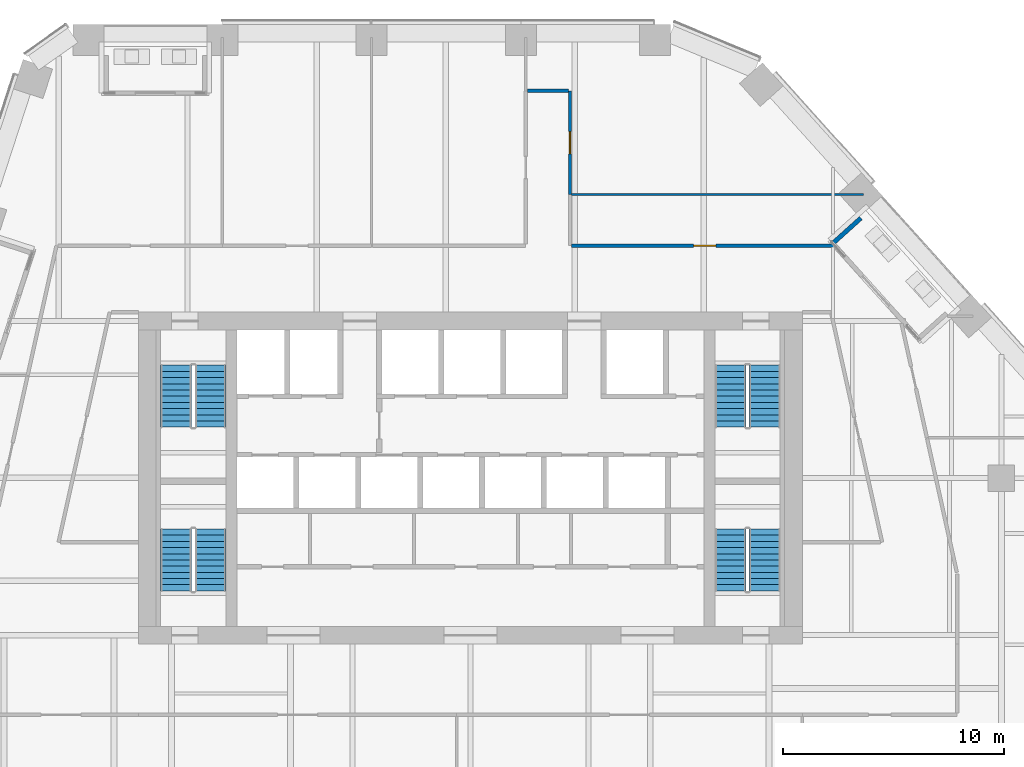
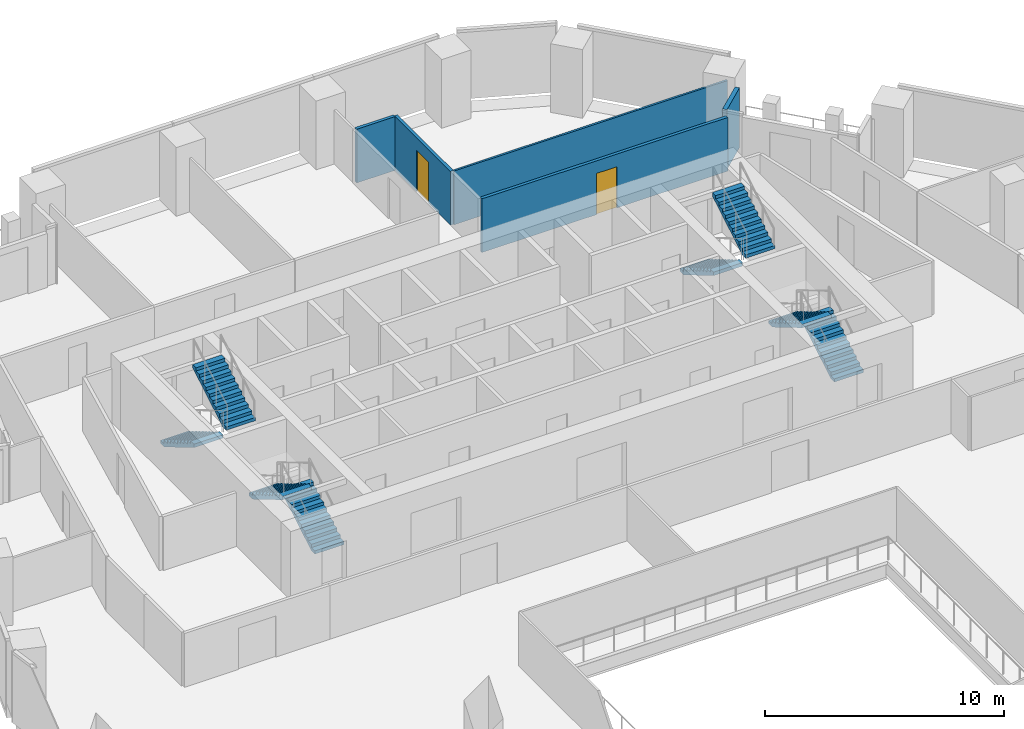
# One storey, part 22 of 26: 8 stair flights, 5 walls, 2 doors, 2 openings, 4 elements without a shape of their own.
"""IFC4 building model written with IfcOpenShell, lengths in metres."""

from ifc_helpers import new_model, si_unit, direction, frame, frame_2d, origin, place, context, subcontext, project, spatial, polyline, rectangle, outline, extrude, material, layer, layer_set, type_object, element, fill, aggregate, save


model = new_model("IFC4")

# Units and contexts
model_context = context("Model", 3, precision=1e-05, world=origin(), true_north=direction((0.0, 1.0)))
body_context = subcontext(model_context, "Body", "Model", "MODEL_VIEW")
ifc_project = project(units=[si_unit("LENGTHUNIT", "METRE"), si_unit("AREAUNIT", "SQUARE_METRE"), si_unit("VOLUMEUNIT", "CUBIC_METRE"), si_unit("PLANEANGLEUNIT", "RADIAN"), si_unit("MASSUNIT", "GRAM", prefix="KILO")], contexts=[model_context])

# Site, building, storey
site_placement = place(None, origin())
site = spatial("IfcSite", under=ifc_project, at=site_placement, CompositionType="ELEMENT")
building_placement = place(site_placement, origin())
building = spatial("IfcBuilding", under=site, at=building_placement, Name="Isthmus Gate Tower", CompositionType="ELEMENT")
storey_placement = place(building_placement, frame((0.0, 0.0, 144.39990234375)))
storey = spatial("IfcBuildingStorey", under=building, at=storey_placement, Name="L35", CompositionType="ELEMENT", Elevation=144.39990234375)

# Wall, opening, door
ifc_material_1 = material(Name="Gypsum board on steel studs, fire-rated", Category="steel")
ifc_layer_1 = layer(ifc_material_1, 0.14990234375)
ifc_layer_set_1 = layer_set([ifc_layer_1], Name="CORRIDOR WALL 150 60 MIN")
wall_type_1 = type_object("IfcWallType", Name="CORRIDOR WALL 150 60 MIN", PredefinedType="PARTITIONING", material=ifc_layer_set_1)
wall_1_placement = place(storey_placement, frame((4.5, 25.0, 0.0), z_axis=(0.0, 0.0, 1.0), x_axis=(0.0, -1.0, 0.0)))
wall_1 = element("IfcWall", 1, at=wall_1_placement, inside=storey, type_object=wall_type_1, Name="L35 Corridor Wall 150 60 Min", PredefinedType="PARTITIONING", context=body_context, shape_type="SweptSolid", body=[
    extrude(rectangle(XDim=4.69189453125, YDim=0.14990234375, at=frame_2d((2.345947265625, 0.0))), origin(), (0.0, 0.0, 1.0), 2.7412109375),
])
opening_1_placement = place(wall_1_placement, frame((1.845947265625, 0.0, 0.0)))
opening_1 = element("IfcOpeningElement", 2, at=opening_1_placement, cuts=wall_1, Name="Opening DT-T3B-03", PredefinedType="OPENING", context=body_context, shape_type="SweptSolid", body=[
    extrude(rectangle(XDim=1.0, YDim=2.10009765625, at=frame_2d((0.5, 1.050048828125))), frame((0.0, 0.0849609375, 0.0), z_axis=(0.0, -1.0, 0.0), x_axis=(1.0, 0.0, 0.0)), (0.0, 0.0, 1.0), 0.169921875),
])
ifc_material_2 = material(Name="Solid core timber door leaf, fire-rated", Category="wood")
door_type = type_object("IfcDoorType", Name="FIRE DOOR ROOM 1000 X 2100 60 MIN", OperationType="SINGLE_SWING_LEFT", PredefinedType="DOOR", material=ifc_material_2)
door_1_placement = place(opening_1_placement, origin())
door_1 = element("IfcDoor", 3, at=door_1_placement, inside=storey, type_object=door_type, Name="L35 room door", OperationType="SINGLE_SWING_RIGHT", OverallHeight=2.10009765625, OverallWidth=1.0, PredefinedType="DOOR", context=body_context, shape_type="SweptSolid", body=[
    extrude(rectangle(XDim=1.0, YDim=2.10009765625, at=frame_2d((0.5, 1.050048828125))), frame((0.0, 0.02490234375, 0.0), z_axis=(0.0, -1.0, 0.0), x_axis=(1.0, 0.0, 0.0)), (0.0, 0.0, 1.0), 0.050048828125),
])
fill(opening_1, door_1)

# Wall
wall_2_placement = place(storey_placement, frame((2.574951171875, 25.0, 0.0), z_axis=(0.0, 0.0, 1.0), x_axis=(1.0, 0.0, 0.0)))
element("IfcWall", 4, at=wall_2_placement, inside=storey, type_object=wall_type_1, Name="L35 Corridor Wall 150 60 Min", PredefinedType="PARTITIONING", context=body_context, shape_type="SweptSolid", body=[
    extrude(rectangle(XDim=1.85009765625, YDim=0.14990234375, at=frame_2d((0.925048828125, 0.0))), origin(), (0.0, 0.0, 1.0), 2.7412109375),
])

# Wall, opening, door
wall_3_placement = place(storey_placement, frame((4.574951171875, 18.0, 0.0), z_axis=(0.0, 0.0, 1.0), x_axis=(1.0, 0.0, 0.0)))
wall_3 = element("IfcWall", 5, at=wall_3_placement, inside=storey, type_object=wall_type_1, Name="L35 Corridor Wall 150 60 Min", PredefinedType="PARTITIONING", context=body_context, shape_type="SweptSolid", body=[
    extrude(rectangle(XDim=11.84912109375, YDim=0.14990234375, at=frame_2d((5.924560546875, 0.0))), origin(), (0.0, 0.0, 1.0), 2.7412109375),
])
opening_2_placement = place(wall_3_placement, frame((5.517578125, 0.0, 0.0)))
opening_2 = element("IfcOpeningElement", 6, at=opening_2_placement, cuts=wall_3, Name="Opening DT-T3B-05", PredefinedType="OPENING", context=body_context, shape_type="SweptSolid", body=[
    extrude(rectangle(XDim=1.0, YDim=2.10009765625, at=frame_2d((0.5, 1.050048828125))), frame((0.0, 0.0849609375, 0.0), z_axis=(0.0, -1.0, 0.0), x_axis=(1.0, 0.0, 0.0)), (0.0, 0.0, 1.0), 0.169921875),
])
door_2_placement = place(opening_2_placement, origin())
door_2 = element("IfcDoor", 7, at=door_2_placement, inside=storey, type_object=door_type, Name="L35 room door", OperationType="SINGLE_SWING_RIGHT", OverallHeight=2.10009765625, OverallWidth=1.0, PredefinedType="DOOR", context=body_context, shape_type="SweptSolid", body=[
    extrude(rectangle(XDim=1.0, YDim=2.10009765625, at=frame_2d((0.5, 1.050048828125))), frame((0.0, 0.02490234375, 0.0), z_axis=(0.0, -1.0, 0.0), x_axis=(1.0, 0.0, 0.0)), (0.0, 0.0, 1.0), 0.050048828125),
])
fill(opening_2, door_2)

# Walls
ifc_material_3 = material(Name="Precast concrete C40/50", Category="concrete")
ifc_layer_2 = layer(ifc_material_3, 0.199951171875)
ifc_layer_set_2 = layer_set([ifc_layer_2], Name="LOGGIA WALL 200")
wall_type_2 = type_object("IfcWallType", Name="LOGGIA WALL 200", PredefinedType="SOLIDWALL", material=ifc_layer_set_2)
wall_4_placement = place(storey_placement, frame((17.64208984375, 19.2451171875, 0.0), z_axis=(0.0, 0.0, 1.0), x_axis=(-0.743106699699, -0.6691729469, 0.0)))
element("IfcWall", 8, at=wall_4_placement, inside=storey, type_object=wall_type_2, Name="LOGGIA SIDE WALL", PredefinedType="SOLIDWALL", context=body_context, shape_type="SweptSolid", body=[
    extrude(rectangle(XDim=1.68408203125, YDim=0.199951171875, at=frame_2d((0.842041015625, 0.0))), origin(), (0.0, 0.0, 1.0), 3.050048828125),
])
ifc_material_4 = material(Name="Gypsum board on steel studs, fire-rated", Category="steel")
ifc_layer_3 = layer(ifc_material_4, 0.10009765625)
ifc_layer_set_3 = layer_set([ifc_layer_3], Name="ROOM PARTITION 100 30 MIN")
wall_type_3 = type_object("IfcWallType", Name="ROOM PARTITION 100 30 MIN", PredefinedType="PARTITIONING", material=ifc_layer_set_3)
wall_5_placement = place(storey_placement, frame((4.574951171875, 20.30810546875, 0.0), z_axis=(0.0, 0.0, 1.0), x_axis=(1.0, 0.0, 0.0)))
element("IfcWall", 9, at=wall_5_placement, inside=storey, type_object=wall_type_3, Name="L35 Room Partition 100 30 Min", PredefinedType="PARTITIONING", context=body_context, shape_type="SweptSolid", body=[
    extrude(rectangle(XDim=13.18701171875, YDim=0.10009765625, at=frame_2d((6.593505859375, 0.0))), origin(), (0.0, 0.0, 1.0), 2.7412109375),
])

# Stair, stair flights
ifc_material_5 = material(Name="Concrete f'c 40 MPa", Category="concrete")
stair_type = type_object("IfcStairType", Name="CORE STAIR 22 RISERS", PredefinedType="HALF_TURN_STAIR", material=ifc_material_5)
stair_1_placement = place(storey_placement, origin())
stair_1 = element("IfcStair", 10, at=stair_1_placement, inside=storey, type_object=stair_type, Name="L35 Exit Stair 1", PredefinedType="HALF_TURN_STAIR")
ifc_material_6 = material(Name="Concrete f'c 40 MPa", Category="concrete")
stair_flight_type = type_object("IfcStairFlightType", Name="STAIR FLIGHT RC 1400", PredefinedType="STRAIGHT", material=ifc_material_6)
stair_flight_1_placement = place(storey_placement, frame((-13.300048828125, 12.60009765625, 0.0), z_axis=(0.0, 0.0, 1.0), x_axis=(0.0, -1.0, 0.0)))
stair_flight_1 = element("IfcStairFlight", 11, at=stair_flight_1_placement, type_object=stair_flight_type, Name="ST1 flight 1", NumberOfRisers=11, NumberOfTreads=10, PredefinedType="STRAIGHT", RiserHeight=0.165909091, TreadLength=0.28, context=body_context, shape_type="SweptSolid", body=[
    extrude(outline(polyline([(0.0, 0.0), (0.0, 0.166015625), (0.280029296875, 0.166015625), (0.280029296875, 0.331787109375), (0.56005859375, 0.331787109375), (0.56005859375, 0.497802734375), (0.840087890625, 0.497802734375), (0.840087890625, 0.66357421875), (1.1201171875, 0.66357421875), (1.1201171875, 0.82958984375), (1.39990234375, 0.82958984375), (1.39990234375, 0.995361328125), (1.679931640625, 0.995361328125), (1.679931640625, 1.161376953125), (1.9599609375, 1.161376953125), (1.9599609375, 1.327392578125), (2.239990234375, 1.327392578125), (2.239990234375, 1.4931640625), (2.52001953125, 1.4931640625), (2.52001953125, 1.6591796875), (2.800048828125, 1.6591796875), (2.800048828125, 1.824951171875), (2.800048828125, 1.48486328125), (0.2939453125, 0.0), (0.0, 0.0)])), frame((0.0, 0.699951171875, 0.0), z_axis=(0.0, -1.0, 0.0), x_axis=(1.0, 0.0, 0.0)), (0.0, 0.0, 1.0), 1.39990234375),
])
stair_flight_2_placement = place(storey_placement, frame((-11.75, 9.800048828125, 1.8251953125), z_axis=(0.0, 0.0, 1.0), x_axis=(0.0, 1.0, 0.0)))
stair_flight_2 = element("IfcStairFlight", 12, at=stair_flight_2_placement, type_object=stair_flight_type, Name="ST1 flight 2", NumberOfRisers=11, NumberOfTreads=10, PredefinedType="STRAIGHT", RiserHeight=0.165909091, TreadLength=0.28, context=body_context, shape_type="SweptSolid", body=[
    extrude(outline(polyline([(0.0, 0.0), (0.0, 0.166015625), (0.280029296875, 0.166015625), (0.280029296875, 0.331787109375), (0.56005859375, 0.331787109375), (0.56005859375, 0.497802734375), (0.840087890625, 0.497802734375), (0.840087890625, 0.66357421875), (1.1201171875, 0.66357421875), (1.1201171875, 0.82958984375), (1.39990234375, 0.82958984375), (1.39990234375, 0.995361328125), (1.679931640625, 0.995361328125), (1.679931640625, 1.161376953125), (1.9599609375, 1.161376953125), (1.9599609375, 1.327392578125), (2.239990234375, 1.327392578125), (2.239990234375, 1.4931640625), (2.52001953125, 1.4931640625), (2.52001953125, 1.6591796875), (2.800048828125, 1.6591796875), (2.800048828125, 1.824951171875), (2.800048828125, 1.48486328125), (0.2939453125, 0.0), (0.0, 0.0)])), frame((0.0, 0.699951171875, 0.0), z_axis=(0.0, -1.0, 0.0), x_axis=(1.0, 0.0, 0.0)), (0.0, 0.0, 1.0), 1.39990234375),
])
aggregate(stair_1, [stair_flight_1, stair_flight_2])

stair_2_placement = place(storey_placement, origin())
stair_2 = element("IfcStair", 13, at=stair_2_placement, inside=storey, type_object=stair_type, Name="L35 Exit Stair 2", PredefinedType="HALF_TURN_STAIR")
stair_flight_3_placement = place(storey_placement, frame((11.75, 12.60009765625, 0.0), z_axis=(0.0, 0.0, 1.0), x_axis=(0.0, -1.0, 0.0)))
stair_flight_3 = element("IfcStairFlight", 14, at=stair_flight_3_placement, type_object=stair_flight_type, Name="ST2 flight 1", NumberOfRisers=11, NumberOfTreads=10, PredefinedType="STRAIGHT", RiserHeight=0.165909091, TreadLength=0.28, context=body_context, shape_type="SweptSolid", body=[
    extrude(outline(polyline([(0.0, 0.0), (0.0, 0.166015625), (0.280029296875, 0.166015625), (0.280029296875, 0.331787109375), (0.56005859375, 0.331787109375), (0.56005859375, 0.497802734375), (0.840087890625, 0.497802734375), (0.840087890625, 0.66357421875), (1.1201171875, 0.66357421875), (1.1201171875, 0.82958984375), (1.39990234375, 0.82958984375), (1.39990234375, 0.995361328125), (1.679931640625, 0.995361328125), (1.679931640625, 1.161376953125), (1.9599609375, 1.161376953125), (1.9599609375, 1.327392578125), (2.239990234375, 1.327392578125), (2.239990234375, 1.4931640625), (2.52001953125, 1.4931640625), (2.52001953125, 1.6591796875), (2.800048828125, 1.6591796875), (2.800048828125, 1.824951171875), (2.800048828125, 1.48486328125), (0.2939453125, 0.0), (0.0, 0.0)])), frame((0.0, 0.699951171875, 0.0), z_axis=(0.0, -1.0, 0.0), x_axis=(1.0, 0.0, 0.0)), (0.0, 0.0, 1.0), 1.39990234375),
])
stair_flight_4_placement = place(storey_placement, frame((13.300048828125, 9.800048828125, 1.8251953125), z_axis=(0.0, 0.0, 1.0), x_axis=(0.0, 1.0, 0.0)))
stair_flight_4 = element("IfcStairFlight", 15, at=stair_flight_4_placement, type_object=stair_flight_type, Name="ST2 flight 2", NumberOfRisers=11, NumberOfTreads=10, PredefinedType="STRAIGHT", RiserHeight=0.165909091, TreadLength=0.28, context=body_context, shape_type="SweptSolid", body=[
    extrude(outline(polyline([(0.0, 0.0), (0.0, 0.166015625), (0.280029296875, 0.166015625), (0.280029296875, 0.331787109375), (0.56005859375, 0.331787109375), (0.56005859375, 0.497802734375), (0.840087890625, 0.497802734375), (0.840087890625, 0.66357421875), (1.1201171875, 0.66357421875), (1.1201171875, 0.82958984375), (1.39990234375, 0.82958984375), (1.39990234375, 0.995361328125), (1.679931640625, 0.995361328125), (1.679931640625, 1.161376953125), (1.9599609375, 1.161376953125), (1.9599609375, 1.327392578125), (2.239990234375, 1.327392578125), (2.239990234375, 1.4931640625), (2.52001953125, 1.4931640625), (2.52001953125, 1.6591796875), (2.800048828125, 1.6591796875), (2.800048828125, 1.824951171875), (2.800048828125, 1.48486328125), (0.2939453125, 0.0), (0.0, 0.0)])), frame((0.0, 0.699951171875, 0.0), z_axis=(0.0, -1.0, 0.0), x_axis=(1.0, 0.0, 0.0)), (0.0, 0.0, 1.0), 1.39990234375),
])
aggregate(stair_2, [stair_flight_3, stair_flight_4])

stair_3_placement = place(storey_placement, origin())
stair_3 = element("IfcStair", 16, at=stair_3_placement, inside=storey, type_object=stair_type, Name="L35 Exit Stair 7", PredefinedType="HALF_TURN_STAIR")
stair_flight_5_placement = place(storey_placement, frame((-11.75, 2.39990234375, 0.0), z_axis=(0.0, 0.0, 1.0), x_axis=(0.0, 1.0, 0.0)))
stair_flight_5 = element("IfcStairFlight", 17, at=stair_flight_5_placement, type_object=stair_flight_type, Name="ST7 flight 1", NumberOfRisers=11, NumberOfTreads=10, PredefinedType="STRAIGHT", RiserHeight=0.165909091, TreadLength=0.28, context=body_context, shape_type="SweptSolid", body=[
    extrude(outline(polyline([(0.0, 0.0), (0.0, 0.166015625), (0.280029296875, 0.166015625), (0.280029296875, 0.331787109375), (0.56005859375, 0.331787109375), (0.56005859375, 0.497802734375), (0.840087890625, 0.497802734375), (0.840087890625, 0.66357421875), (1.1201171875, 0.66357421875), (1.1201171875, 0.82958984375), (1.39990234375, 0.82958984375), (1.39990234375, 0.995361328125), (1.679931640625, 0.995361328125), (1.679931640625, 1.161376953125), (1.9599609375, 1.161376953125), (1.9599609375, 1.327392578125), (2.239990234375, 1.327392578125), (2.239990234375, 1.4931640625), (2.52001953125, 1.4931640625), (2.52001953125, 1.6591796875), (2.800048828125, 1.6591796875), (2.800048828125, 1.824951171875), (2.800048828125, 1.48486328125), (0.2939453125, 0.0), (0.0, 0.0)])), frame((0.0, 0.699951171875, 0.0), z_axis=(0.0, -1.0, 0.0), x_axis=(1.0, 0.0, 0.0)), (0.0, 0.0, 1.0), 1.39990234375),
])
stair_flight_6_placement = place(storey_placement, frame((-13.300048828125, 5.199951171875, 1.8251953125), z_axis=(0.0, 0.0, 1.0), x_axis=(0.0, -1.0, 0.0)))
stair_flight_6 = element("IfcStairFlight", 18, at=stair_flight_6_placement, type_object=stair_flight_type, Name="ST7 flight 2", NumberOfRisers=11, NumberOfTreads=10, PredefinedType="STRAIGHT", RiserHeight=0.165909091, TreadLength=0.28, context=body_context, shape_type="SweptSolid", body=[
    extrude(outline(polyline([(0.0, 0.0), (0.0, 0.166015625), (0.280029296875, 0.166015625), (0.280029296875, 0.331787109375), (0.56005859375, 0.331787109375), (0.56005859375, 0.497802734375), (0.840087890625, 0.497802734375), (0.840087890625, 0.66357421875), (1.1201171875, 0.66357421875), (1.1201171875, 0.82958984375), (1.39990234375, 0.82958984375), (1.39990234375, 0.995361328125), (1.679931640625, 0.995361328125), (1.679931640625, 1.161376953125), (1.9599609375, 1.161376953125), (1.9599609375, 1.327392578125), (2.239990234375, 1.327392578125), (2.239990234375, 1.4931640625), (2.52001953125, 1.4931640625), (2.52001953125, 1.6591796875), (2.800048828125, 1.6591796875), (2.800048828125, 1.824951171875), (2.800048828125, 1.48486328125), (0.2939453125, 0.0), (0.0, 0.0)])), frame((0.0, 0.699951171875, 0.0), z_axis=(0.0, -1.0, 0.0), x_axis=(1.0, 0.0, 0.0)), (0.0, 0.0, 1.0), 1.39990234375),
])
aggregate(stair_3, [stair_flight_5, stair_flight_6])

stair_4_placement = place(storey_placement, origin())
stair_4 = element("IfcStair", 19, at=stair_4_placement, inside=storey, type_object=stair_type, Name="L35 Exit Stair 8", PredefinedType="HALF_TURN_STAIR")
stair_flight_7_placement = place(storey_placement, frame((13.300048828125, 2.39990234375, 0.0), z_axis=(0.0, 0.0, 1.0), x_axis=(0.0, 1.0, 0.0)))
stair_flight_7 = element("IfcStairFlight", 20, at=stair_flight_7_placement, type_object=stair_flight_type, Name="ST8 flight 1", NumberOfRisers=11, NumberOfTreads=10, PredefinedType="STRAIGHT", RiserHeight=0.165909091, TreadLength=0.28, context=body_context, shape_type="SweptSolid", body=[
    extrude(outline(polyline([(0.0, 0.0), (0.0, 0.166015625), (0.280029296875, 0.166015625), (0.280029296875, 0.331787109375), (0.56005859375, 0.331787109375), (0.56005859375, 0.497802734375), (0.840087890625, 0.497802734375), (0.840087890625, 0.66357421875), (1.1201171875, 0.66357421875), (1.1201171875, 0.82958984375), (1.39990234375, 0.82958984375), (1.39990234375, 0.995361328125), (1.679931640625, 0.995361328125), (1.679931640625, 1.161376953125), (1.9599609375, 1.161376953125), (1.9599609375, 1.327392578125), (2.239990234375, 1.327392578125), (2.239990234375, 1.4931640625), (2.52001953125, 1.4931640625), (2.52001953125, 1.6591796875), (2.800048828125, 1.6591796875), (2.800048828125, 1.824951171875), (2.800048828125, 1.48486328125), (0.2939453125, 0.0), (0.0, 0.0)])), frame((0.0, 0.699951171875, 0.0), z_axis=(0.0, -1.0, 0.0), x_axis=(1.0, 0.0, 0.0)), (0.0, 0.0, 1.0), 1.39990234375),
])
stair_flight_8_placement = place(storey_placement, frame((11.75, 5.199951171875, 1.8251953125), z_axis=(0.0, 0.0, 1.0), x_axis=(0.0, -1.0, 0.0)))
stair_flight_8 = element("IfcStairFlight", 21, at=stair_flight_8_placement, type_object=stair_flight_type, Name="ST8 flight 2", NumberOfRisers=11, NumberOfTreads=10, PredefinedType="STRAIGHT", RiserHeight=0.165909091, TreadLength=0.28, context=body_context, shape_type="SweptSolid", body=[
    extrude(outline(polyline([(0.0, 0.0), (0.0, 0.166015625), (0.280029296875, 0.166015625), (0.280029296875, 0.331787109375), (0.56005859375, 0.331787109375), (0.56005859375, 0.497802734375), (0.840087890625, 0.497802734375), (0.840087890625, 0.66357421875), (1.1201171875, 0.66357421875), (1.1201171875, 0.82958984375), (1.39990234375, 0.82958984375), (1.39990234375, 0.995361328125), (1.679931640625, 0.995361328125), (1.679931640625, 1.161376953125), (1.9599609375, 1.161376953125), (1.9599609375, 1.327392578125), (2.239990234375, 1.327392578125), (2.239990234375, 1.4931640625), (2.52001953125, 1.4931640625), (2.52001953125, 1.6591796875), (2.800048828125, 1.6591796875), (2.800048828125, 1.824951171875), (2.800048828125, 1.48486328125), (0.2939453125, 0.0), (0.0, 0.0)])), frame((0.0, 0.699951171875, 0.0), z_axis=(0.0, -1.0, 0.0), x_axis=(1.0, 0.0, 0.0)), (0.0, 0.0, 1.0), 1.39990234375),
])
aggregate(stair_4, [stair_flight_7, stair_flight_8])

save(model, "model.ifc")
